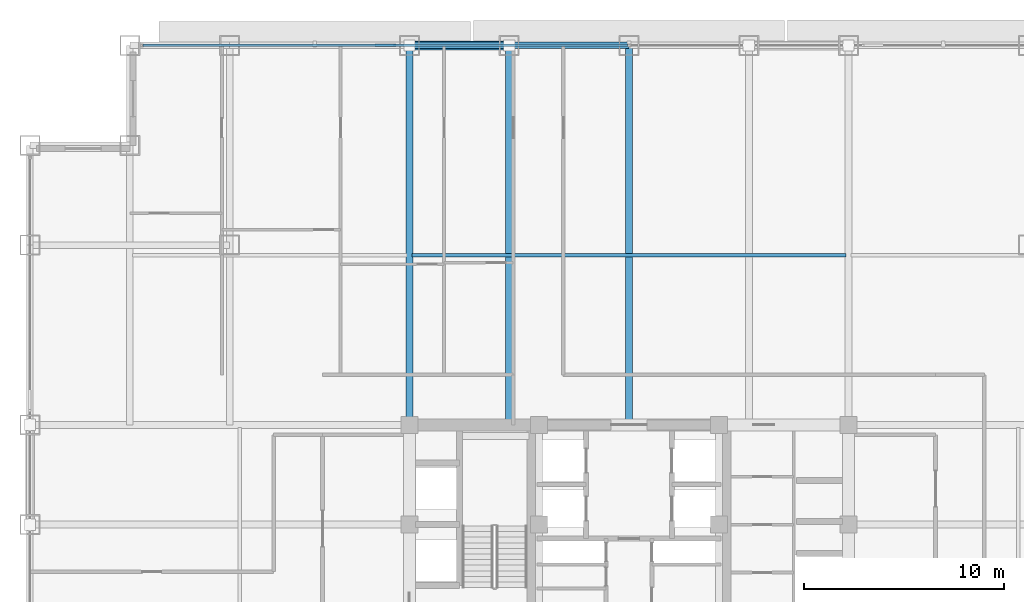
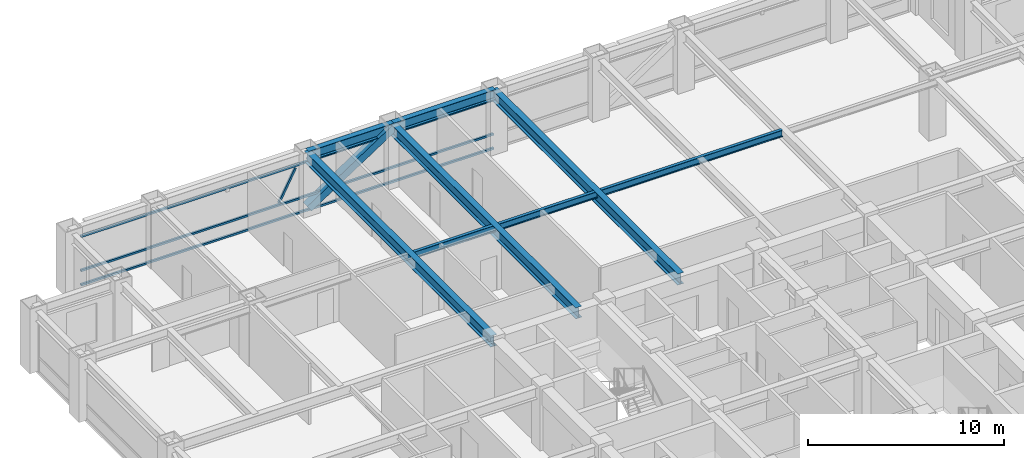
# One storey, part 15 of 29: 6 beams, 5 members, 1 element without a shape of its own.
"""IFC4 building model written with IfcOpenShell, lengths in metres."""

from ifc_helpers import new_model, si_unit, direction, frame, origin, origin_2d, place, context, subcontext, project, spatial, hollow_rectangle, i_section, extrude, source, transform, mapped, material, material_profile, profile_set, type_object, element, aggregate, save


model = new_model("IFC4")

# Units and contexts
model_context = context("Model", 3, precision=1e-05, world=origin(), true_north=direction((0.0, 1.0)))
body_context = subcontext(model_context, "Body", "Model", "MODEL_VIEW")
ifc_project = project(units=[si_unit("LENGTHUNIT", "METRE"), si_unit("AREAUNIT", "SQUARE_METRE"), si_unit("VOLUMEUNIT", "CUBIC_METRE"), si_unit("PLANEANGLEUNIT", "RADIAN"), si_unit("MASSUNIT", "GRAM", prefix="KILO")], contexts=[model_context])

# Site, building, storey
site_placement = place(None, origin())
site = spatial("IfcSite", under=ifc_project, at=site_placement, CompositionType="ELEMENT")
building_placement = place(site_placement, origin())
building = spatial("IfcBuilding", under=site, at=building_placement, Name="Khorayat Bourse Tower", CompositionType="ELEMENT")
storey_placement = place(building_placement, frame((0.0, 0.0, 235.10009765625)))
storey = spatial("IfcBuildingStorey", under=building, at=storey_placement, Name="L55", CompositionType="ELEMENT", Elevation=235.10009765625)

# Beams
ifc_material_1 = material(Name="Steel ASTM A992 Grade 50", Category="steel")
ifc_material_profile_1 = material_profile(ifc_material_1, i_section(OverallWidth=0.180908203125, OverallDepth=0.4169921875, WebThickness=0.010986328125, FlangeThickness=0.018310546875, FilletRadius=0.011962890625, at=origin_2d()), Name="W410X85")
ifc_profile_set_1 = profile_set([ifc_material_profile_1], Name="Steel ASTM A992 Grade 50")
beam_type_1 = type_object("IfcBeamType", Name="BM-JOIST-410", PredefinedType="JOIST", material=ifc_profile_set_1)
shared_shape_1 = source(origin(), body_context, "Body", "SweptSolid", [
    extrude(i_section(OverallWidth=0.180908203125, OverallDepth=0.4169921875, WebThickness=0.010986328125, FlangeThickness=0.018310546875, FilletRadius=0.011962890625, at=origin_2d()), origin(), (0.0, 0.0, 1.0), 21.740234375),
])
beam_1_placement = place(storey_placement, frame((-10.8701171875, 19.5, 3.5712890625), z_axis=(1.0, 0.0, 0.0), x_axis=(0.0, 1.0, 0.0)))
element("IfcBeam", 1, at=beam_1_placement, inside=storey, type_object=beam_type_1, Name="L55 BM-JOIST-410 BM-L55-JSTX-100", PredefinedType="JOIST", context=body_context, shape_type="MappedRepresentation", body=[
    mapped(shared_shape_1, transform((0.0, 0.0, 0.0), scale=1.0)),
])
ifc_material_profile_2 = material_profile(ifc_material_1, i_section(OverallWidth=0.324951171875, OverallDepth=0.615966796875, WebThickness=0.013916015625, FlangeThickness=0.021484375, FilletRadius=0.01611328125, at=origin_2d()), Name="W610X174")
ifc_profile_set_2 = profile_set([ifc_material_profile_2], Name="Steel ASTM A992 Grade 50")
beam_type_2 = type_object("IfcBeamType", Name="BM-SPAN-610", PredefinedType="SPANDREL", material=ifc_profile_set_2)
shared_shape_2 = source(origin(), body_context, "Body", "SweptSolid", [
    extrude(i_section(OverallWidth=0.324951171875, OverallDepth=0.615966796875, WebThickness=0.013916015625, FlangeThickness=0.021484375, FilletRadius=0.01611328125, at=origin_2d()), origin(), (0.0, 0.0, 1.0), 5.0),
])
beam_2_placement = place(storey_placement, frame((-11.0, 30.0, 3.471923828125), z_axis=(1.0, 0.0, 0.0), x_axis=(0.0, 1.0, 0.0)))
element("IfcBeam", 2, at=beam_2_placement, inside=storey, type_object=beam_type_2, Name="L55 BM-SPAN-610 BM-L55-SPN-049", PredefinedType="SPANDREL", context=body_context, shape_type="MappedRepresentation", body=[
    mapped(shared_shape_2, transform((0.0, 0.0, 0.0), scale=1.0)),
])
shared_shape_3 = source(origin(), body_context, "Body", "SweptSolid", [
    extrude(i_section(OverallWidth=0.324951171875, OverallDepth=0.615966796875, WebThickness=0.013916015625, FlangeThickness=0.021484375, FilletRadius=0.01611328125, at=origin_2d()), origin(), (0.0, 0.0, 1.0), 6.0),
])
beam_3_placement = place(storey_placement, frame((-6.0, 30.0, 3.471923828125), z_axis=(1.0, 0.0, 0.0), x_axis=(0.0, 1.0, 0.0)))
element("IfcBeam", 3, at=beam_3_placement, inside=storey, type_object=beam_type_2, Name="L55 BM-SPAN-610 BM-L55-SPN-048", PredefinedType="SPANDREL", context=body_context, shape_type="MappedRepresentation", body=[
    mapped(shared_shape_3, transform((0.0, 0.0, 0.0), scale=1.0)),
])
ifc_material_profile_3 = material_profile(ifc_material_1, i_section(OverallWidth=0.35498046875, OverallDepth=0.695068359375, WebThickness=0.015380859375, FlangeThickness=0.02490234375, FilletRadius=0.01806640625, at=origin_2d()), Name="W690X217")
ifc_profile_set_3 = profile_set([ifc_material_profile_3], Name="Steel ASTM A992 Grade 50")
beam_type_3 = type_object("IfcBeamType", Name="BM-GIRD-690", PredefinedType="BEAM", material=ifc_profile_set_3)
shared_shape_4 = source(origin(), body_context, "Body", "SweptSolid", [
    extrude(i_section(OverallWidth=0.35498046875, OverallDepth=0.695068359375, WebThickness=0.015380859375, FlangeThickness=0.02490234375, FilletRadius=0.01806640625, at=origin_2d()), origin(), (0.0, 0.0, 1.0), 19.0),
])
for number, where, z_axis, x_axis, name in (
    (4, (-11.0, 11.0, 3.432373046875), (0.0, 1.0, 0.0), (-1.0, 0.0, 0.0), "L55 BM-GIRD-690 BM-L55-RADY-064"),
    (5, (-6.0, 11.0, 3.432373046875), (0.0, 1.0, 0.0), (-1.0, 0.0, 0.0), "L55 BM-GIRD-690 BM-L55-RADY-066"),
    (6, (0.0, 11.0, 3.432373046875), (0.0, 1.0, 0.0), (-1.0, 0.0, 0.0), "L55 BM-GIRD-690 BM-L55-RADY-068"),
):
    element("IfcBeam", number, at=place(storey_placement, frame(where, z_axis=z_axis, x_axis=x_axis)), inside=storey, type_object=beam_type_3, Name=name, PredefinedType="BEAM", context=body_context, shape_type="MappedRepresentation", body=[
        mapped(shared_shape_4, transform((0.0, 0.0, 0.0), scale=1.0)),
    ])

# Member
ifc_material_2 = material(Name="Steel EN 10025-4 S460M", Category="steel")
ifc_material_profile_4 = material_profile(ifc_material_2, hollow_rectangle(XDim=0.449951171875, YDim=0.449951171875, WallThickness=0.02490234375, at=origin_2d()), Name="HSS 450x450x25")
ifc_profile_set_4 = profile_set([ifc_material_profile_4], Name="Steel EN 10025-4 S460M")
member_type_1 = type_object("IfcMemberType", Name="MBR-TUBE-450", PredefinedType="BRACE", material=ifc_profile_set_4)
shared_shape_5 = source(origin(), body_context, "Body", "SweptSolid", [
    extrude(hollow_rectangle(XDim=0.449951171875, YDim=0.449951171875, WallThickness=0.02490234375, at=origin_2d()), origin(), (0.0, 0.0, 1.0), 5.979736328125),
])
member_1_placement = place(storey_placement, frame((-11.0, 30.0, 0.25), z_axis=(0.836160261256, 0.0, 0.548485202623), x_axis=(0.0, 1.0, 0.0)))
element("IfcMember", 7, at=member_1_placement, inside=storey, type_object=member_type_1, Name="L55 Perimeter Tube Brace 03", PredefinedType="BRACE", context=body_context, shape_type="MappedRepresentation", body=[
    mapped(shared_shape_5, transform((0.0, 0.0, 0.0), scale=1.0)),
])

# Curtain wall, members
ifc_material_3 = material(Name="Aluminium EN AW-6063 T6", Category="aluminium")
curtain_wall_type = type_object("IfcCurtainWallType", Name="CW-SYS-03", PredefinedType="NOTDEFINED", material=ifc_material_3)
curtain_wall_placement = place(storey_placement, origin())
curtain_wall = element("IfcCurtainWall", 8, at=curtain_wall_placement, inside=storey, type_object=curtain_wall_type, Name="L55 Curtain Wall CW-L55-N1", PredefinedType="NOTDEFINED")
ifc_material_profile_5 = material_profile(ifc_material_3, hollow_rectangle(XDim=0.1201171875, YDim=0.1201171875, WallThickness=0.0048828125, at=origin_2d()), Name="ALU 120x120x5")
ifc_profile_set_5 = profile_set([ifc_material_profile_5], Name="Aluminium EN AW-6063 T6")
member_type_2 = type_object("IfcMemberType", Name="CWM-DIAG-120", PredefinedType="MULLION", material=ifc_profile_set_5)
shared_shape_6 = source(origin(), body_context, "Body", "SweptSolid", [
    extrude(hollow_rectangle(XDim=0.1201171875, YDim=0.1201171875, WallThickness=0.0048828125, at=origin_2d()), origin(), (0.0, 0.0, 1.0), 2.079345703125),
])
member_2_placement = place(storey_placement, frame((-12.67919921875, 30.0, 1.08984375), z_axis=(0.465760949701, 0.0, 0.884910581773), x_axis=(0.0, 1.0, 0.0)))
member_2 = element("IfcMember", 9, at=member_2_placement, type_object=member_type_2, Name="CW-L55-N1 Faceted Diagonal Mullion 1", PredefinedType="MULLION", context=body_context, shape_type="MappedRepresentation", body=[
    mapped(shared_shape_6, transform((0.0, 0.0, 0.0), scale=1.0)),
])
ifc_material_profile_6 = material_profile(ifc_material_3, hollow_rectangle(XDim=0.1201171875, YDim=0.1201171875, WallThickness=0.0048828125, at=origin_2d()), Name="ALU 120x120x5")
ifc_profile_set_6 = profile_set([ifc_material_profile_6], Name="Aluminium EN AW-6063 T6")
member_type_3 = type_object("IfcMemberType", Name="CWT-HORZ-120", PredefinedType="USERDEFINED", material=ifc_profile_set_6)
shared_shape_7 = source(origin(), body_context, "Body", "SweptSolid", [
    extrude(hollow_rectangle(XDim=0.1201171875, YDim=0.1201171875, WallThickness=0.0048828125, at=origin_2d()), origin(), (0.0, 0.0, 1.0), 24.27001953125),
])
member_3_placement = place(storey_placement, frame((-24.330078125, 30.0, 0.059814453125), z_axis=(1.0, 0.0, 0.0), x_axis=(0.0, 1.0, 0.0)))
member_3 = element("IfcMember", 10, at=member_3_placement, type_object=member_type_3, Name="CW-L55-N1 Horizontal Transom 1-1", ObjectType="TRANSOM", PredefinedType="USERDEFINED", context=body_context, shape_type="MappedRepresentation", body=[
    mapped(shared_shape_7, transform((0.0, 0.0, 0.0), scale=1.0)),
])
member_4_placement = place(storey_placement, frame((-24.330078125, 30.0, 0.949951171875), z_axis=(1.0, 0.0, 0.0), x_axis=(0.0, 1.0, 0.0)))
member_4 = element("IfcMember", 11, at=member_4_placement, type_object=member_type_3, Name="CW-L55-N1 Horizontal Transom 1-2", ObjectType="TRANSOM", PredefinedType="USERDEFINED", context=body_context, shape_type="MappedRepresentation", body=[
    mapped(shared_shape_7, transform((0.0, 0.0, 0.0), scale=1.0)),
])
member_5_placement = place(storey_placement, frame((-24.330078125, 30.0, 3.06982421875), z_axis=(1.0, 0.0, 0.0), x_axis=(0.0, 1.0, 0.0)))
member_5 = element("IfcMember", 12, at=member_5_placement, type_object=member_type_3, Name="CW-L55-N1 Horizontal Transom 1-3", ObjectType="TRANSOM", PredefinedType="USERDEFINED", context=body_context, shape_type="MappedRepresentation", body=[
    mapped(shared_shape_7, transform((0.0, 0.0, 0.0), scale=1.0)),
])
aggregate(curtain_wall, [member_3, member_4, member_5, member_2])

save(model, "model.ifc")
